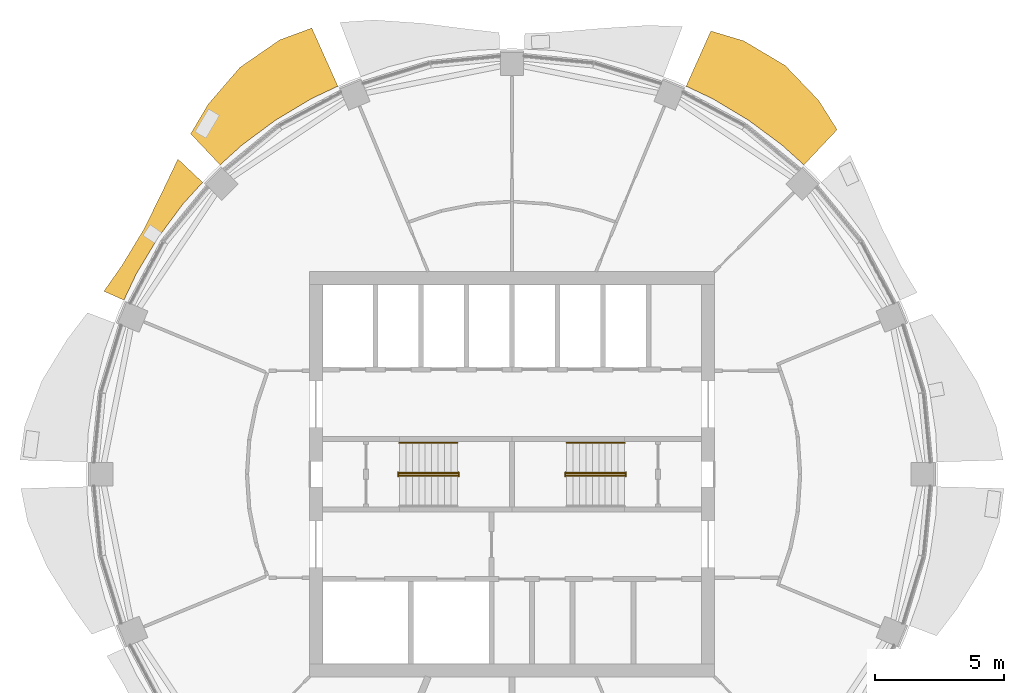
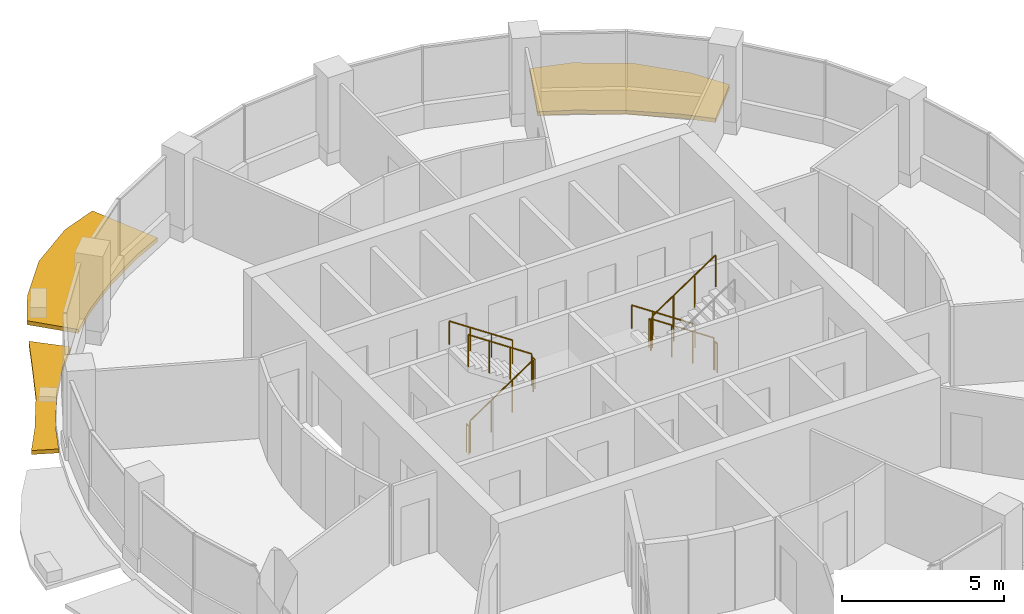
# One storey, part 13 of 15: 10 railings, 3 shading devices.
"""IFC4 building model written with IfcOpenShell, lengths in metres."""

from ifc_helpers import new_model, si_unit, direction, frame, origin, origin_2d, place, context, subcontext, project, spatial, polyline, circle, outline, extrude, material, type_object, element, save


model = new_model("IFC4")

# Units and contexts
model_context = context("Model", 3, precision=1e-05, world=origin(), true_north=direction((0.0, 1.0)))
body_context = subcontext(model_context, "Body", "Model", "MODEL_VIEW")
ifc_project = project(units=[si_unit("LENGTHUNIT", "METRE"), si_unit("AREAUNIT", "SQUARE_METRE"), si_unit("VOLUMEUNIT", "CUBIC_METRE"), si_unit("PLANEANGLEUNIT", "RADIAN"), si_unit("MASSUNIT", "GRAM", prefix="KILO")], contexts=[model_context])

# Site, building, storey
site_placement = place(None, origin())
site = spatial("IfcSite", under=ifc_project, at=site_placement, CompositionType="ELEMENT")
building_placement = place(site_placement, origin())
building = spatial("IfcBuilding", under=site, at=building_placement, Name="Polderwave Tower", CompositionType="ELEMENT")
storey_placement = place(building_placement, frame((0.0, 0.0, 207.75)))
storey = spatial("IfcBuildingStorey", under=building, at=storey_placement, Name="L56", CompositionType="ELEMENT", Elevation=207.75)

# Railings
ifc_material_1 = material(Name="Stainless steel", Category="steel")
railing_type_1 = type_object("IfcRailingType", Name="Stair guard 1100", PredefinedType="GUARDRAIL", material=ifc_material_1)
railing_1_placement = place(storey_placement, frame((-4.3740234375, -0.051025390625, 0.04736328125)))
element("IfcRailing", 1, at=railing_1_placement, inside=storey, type_object=railing_type_1, Name="L56 ST-A stair guard 1", PredefinedType="GUARDRAIL", context=body_context, shape_type="SweptSolid", body=[
    extrude(circle(Radius=0.02392578125, at=origin_2d()), frame((0.0, 0.0, 1.1962890625), z_axis=(0.830758306289, 0.0, 0.556633305266), x_axis=(0.0, 1.0, 0.0)), (0.0, 0.0, 1.0), 2.708251953125),
    extrude(circle(Radius=0.02392578125, at=origin_2d()), origin(), (0.0, 0.0, 1.0), 1.172119140625),
    extrude(circle(Radius=0.02392578125, at=origin_2d()), frame((0.75, 0.0, 0.50244140625)), (0.0, 0.0, 1.0), 1.172119140625),
    extrude(circle(Radius=0.02392578125, at=origin_2d()), frame((1.5, 0.0, 1.005126953125)), (0.0, 0.0, 1.0), 1.172119140625),
    extrude(circle(Radius=0.02392578125, at=origin_2d()), frame((2.25, 0.0, 1.507568359375)), (0.0, 0.0, 1.0), 1.172119140625),
])
railing_2_placement = place(storey_placement, frame((-2.073974609375, -0.074951171875, 1.675048828125)))
element("IfcRailing", 2, at=railing_2_placement, inside=storey, type_object=railing_type_1, Name="L56 ST-A stair guard 2", PredefinedType="GUARDRAIL", context=body_context, shape_type="SweptSolid", body=[
    extrude(circle(Radius=0.02392578125, at=origin_2d()), frame((0.0, 0.0, 1.076171875), z_axis=(0.0, 1.0, 0.0), x_axis=(-1.0, 0.0, 0.0)), (0.0, 0.0, 1.0), 0.14990234375),
    extrude(circle(Radius=0.02099609375, at=origin_2d()), origin(), (0.0, 0.0, 1.0), 1.052001953125),
    extrude(circle(Radius=0.02099609375, at=origin_2d()), frame((0.0, 0.14990234375, 0.0)), (0.0, 0.0, 1.0), 1.052001953125),
])
railing_3_placement = place(storey_placement, frame((-2.1240234375, 0.051025390625, 1.722412109375)))
element("IfcRailing", 3, at=railing_3_placement, inside=storey, type_object=railing_type_1, Name="L56 ST-A stair guard 3", PredefinedType="GUARDRAIL", context=body_context, shape_type="SweptSolid", body=[
    extrude(circle(Radius=0.02392578125, at=origin_2d()), frame((0.0, 0.0, 1.1962890625), z_axis=(-0.830758306289, 0.0, 0.556633305266), x_axis=(0.0, -1.0, 0.0)), (0.0, 0.0, 1.0), 2.708251953125),
    extrude(circle(Radius=0.02392578125, at=origin_2d()), origin(), (0.0, 0.0, 1.0), 1.172119140625),
    extrude(circle(Radius=0.02392578125, at=origin_2d()), frame((-0.75, 0.0, 0.50244140625)), (0.0, 0.0, 1.0), 1.172119140625),
    extrude(circle(Radius=0.02392578125, at=origin_2d()), frame((-1.5, 0.0, 1.005126953125)), (0.0, 0.0, 1.0), 1.172119140625),
    extrude(circle(Radius=0.02392578125, at=origin_2d()), frame((-2.25, 0.0, 1.507568359375)), (0.0, 0.0, 1.0), 1.172119140625),
])
railing_4_placement = place(storey_placement, frame((-4.424072265625, -0.074951171875, 0.0)))
element("IfcRailing", 4, at=railing_4_placement, inside=storey, type_object=railing_type_1, Name="L56 ST-A stair guard 4", PredefinedType="GUARDRAIL", context=body_context, shape_type="SweptSolid", body=[
    extrude(circle(Radius=0.02392578125, at=origin_2d()), frame((0.0, 0.0, 1.076171875), z_axis=(0.0, 1.0, 0.0), x_axis=(-1.0, 0.0, 0.0)), (0.0, 0.0, 1.0), 0.14990234375),
    extrude(circle(Radius=0.02099609375, at=origin_2d()), origin(), (0.0, 0.0, 1.0), 1.052001953125),
    extrude(circle(Radius=0.02099609375, at=origin_2d()), frame((0.0, 0.14990234375, 0.0)), (0.0, 0.0, 1.0), 1.052001953125),
])
railing_5_placement = place(storey_placement, frame((4.3740234375, 0.051025390625, 0.04736328125)))
element("IfcRailing", 5, at=railing_5_placement, inside=storey, type_object=railing_type_1, Name="L56 ST-B stair guard 1", PredefinedType="GUARDRAIL", context=body_context, shape_type="SweptSolid", body=[
    extrude(circle(Radius=0.02392578125, at=origin_2d()), frame((0.0, 0.0, 1.1962890625), z_axis=(-0.830758306289, 0.0, 0.556633305266), x_axis=(0.0, -1.0, 0.0)), (0.0, 0.0, 1.0), 2.708251953125),
    extrude(circle(Radius=0.02392578125, at=origin_2d()), origin(), (0.0, 0.0, 1.0), 1.172119140625),
    extrude(circle(Radius=0.02392578125, at=origin_2d()), frame((-0.75, 0.0, 0.50244140625)), (0.0, 0.0, 1.0), 1.172119140625),
    extrude(circle(Radius=0.02392578125, at=origin_2d()), frame((-1.5, 0.0, 1.005126953125)), (0.0, 0.0, 1.0), 1.172119140625),
    extrude(circle(Radius=0.02392578125, at=origin_2d()), frame((-2.25, 0.0, 1.507568359375)), (0.0, 0.0, 1.0), 1.172119140625),
])
railing_6_placement = place(storey_placement, frame((2.073974609375, 0.074951171875, 1.675048828125)))
element("IfcRailing", 6, at=railing_6_placement, inside=storey, type_object=railing_type_1, Name="L56 ST-B stair guard 2", PredefinedType="GUARDRAIL", context=body_context, shape_type="SweptSolid", body=[
    extrude(circle(Radius=0.02392578125, at=origin_2d()), frame((0.0, 0.0, 1.076171875), z_axis=(0.0, -1.0, 0.0), x_axis=(1.0, 0.0, 0.0)), (0.0, 0.0, 1.0), 0.14990234375),
    extrude(circle(Radius=0.02099609375, at=origin_2d()), origin(), (0.0, 0.0, 1.0), 1.052001953125),
    extrude(circle(Radius=0.02099609375, at=origin_2d()), frame((0.0, -0.14990234375, 0.0)), (0.0, 0.0, 1.0), 1.052001953125),
])
railing_7_placement = place(storey_placement, frame((2.1240234375, -0.051025390625, 1.722412109375)))
element("IfcRailing", 7, at=railing_7_placement, inside=storey, type_object=railing_type_1, Name="L56 ST-B stair guard 3", PredefinedType="GUARDRAIL", context=body_context, shape_type="SweptSolid", body=[
    extrude(circle(Radius=0.02392578125, at=origin_2d()), frame((0.0, 0.0, 1.1962890625), z_axis=(0.830758306289, 0.0, 0.556633305266), x_axis=(0.0, 1.0, 0.0)), (0.0, 0.0, 1.0), 2.708251953125),
    extrude(circle(Radius=0.02392578125, at=origin_2d()), origin(), (0.0, 0.0, 1.0), 1.172119140625),
    extrude(circle(Radius=0.02392578125, at=origin_2d()), frame((0.75, 0.0, 0.50244140625)), (0.0, 0.0, 1.0), 1.172119140625),
    extrude(circle(Radius=0.02392578125, at=origin_2d()), frame((1.5, 0.0, 1.005126953125)), (0.0, 0.0, 1.0), 1.172119140625),
    extrude(circle(Radius=0.02392578125, at=origin_2d()), frame((2.25, 0.0, 1.507568359375)), (0.0, 0.0, 1.0), 1.172119140625),
])
railing_8_placement = place(storey_placement, frame((4.424072265625, 0.074951171875, 0.0)))
element("IfcRailing", 8, at=railing_8_placement, inside=storey, type_object=railing_type_1, Name="L56 ST-B stair guard 4", PredefinedType="GUARDRAIL", context=body_context, shape_type="SweptSolid", body=[
    extrude(circle(Radius=0.02392578125, at=origin_2d()), frame((0.0, 0.0, 1.076171875), z_axis=(0.0, -1.0, 0.0), x_axis=(1.0, 0.0, 0.0)), (0.0, 0.0, 1.0), 0.14990234375),
    extrude(circle(Radius=0.02099609375, at=origin_2d()), origin(), (0.0, 0.0, 1.0), 1.052001953125),
    extrude(circle(Radius=0.02099609375, at=origin_2d()), frame((0.0, -0.14990234375, 0.0)), (0.0, 0.0, 1.0), 1.052001953125),
])
railing_type_2 = type_object("IfcRailingType", Name="Stair handrail 900", PredefinedType="HANDRAIL", material=ifc_material_1)
for number, where, name in (
    (9, (-2.1240234375, 1.22509765625, 1.842529296875), "L56 ST-A stair handrail 2"),
    (10, (4.3740234375, 1.22509765625, 0.16748046875), "L56 ST-B stair handrail 1"),
):
    element("IfcRailing", number, at=place(storey_placement, frame(where)), inside=storey, type_object=railing_type_2, Name=name, PredefinedType="HANDRAIL", context=body_context, shape_type="SweptSolid", body=[
        extrude(circle(Radius=0.02392578125, at=origin_2d()), frame((0.0, 0.0, 0.8759765625), z_axis=(-0.830758306289, 0.0, 0.556633305266), x_axis=(0.0, -1.0, 0.0)), (0.0, 0.0, 1.0), 2.708251953125),
        extrude(circle(Radius=0.02099609375, at=origin_2d()), origin(), (0.0, 0.0, 1.0), 0.851806640625),
        extrude(circle(Radius=0.02099609375, at=origin_2d()), frame((-0.75, 0.0, 0.50244140625)), (0.0, 0.0, 1.0), 0.851806640625),
        extrude(circle(Radius=0.02099609375, at=origin_2d()), frame((-1.5, 0.0, 1.005126953125)), (0.0, 0.0, 1.0), 0.851806640625),
        extrude(circle(Radius=0.02099609375, at=origin_2d()), frame((-2.25, 0.0, 1.507568359375)), (0.0, 0.0, 1.0), 0.851806640625),
    ])

# Shading devices
ifc_material_2 = material(Name="Terracotta", Category="masonry")
shading_device_type = type_object("IfcShadingDeviceType", Name="Terracotta sunshade band", PredefinedType="USERDEFINED", material=ifc_material_2)
shading_device_1_placement = place(storey_placement, frame((0.0, 0.0, -0.35009765625)))
element("IfcShadingDevice", 11, at=shading_device_1_placement, inside=storey, type_object=shading_device_type, Name="Sunshade band L56 3", ObjectType="SUNSHADE", PredefinedType="USERDEFINED", context=body_context, shape_type="SweptSolid", body=[
    extrude(outline(polyline([(11.3466796875, 12.025146484375), (10.499267578125, 12.793212890625), (9.194580078125, 13.7607421875), (7.801513671875, 14.595703125), (6.767578125, 15.084716796875), (7.729736328125, 17.2294921875), (9.005126953125, 16.84765625), (10.6171875, 15.889892578125), (11.9228515625, 14.52783203125), (12.637451171875, 13.393310546875), (11.3466796875, 12.025146484375)])), origin(), (0.0, 0.0, 1.0), 0.150146484375),
])
shading_device_2_placement = place(storey_placement, frame((0.0, 0.0, -0.35009765625)))
element("IfcShadingDevice", 12, at=shading_device_2_placement, inside=storey, type_object=shading_device_type, Name="Sunshade band L56 6", ObjectType="SUNSHADE", PredefinedType="USERDEFINED", context=body_context, shape_type="SweptSolid", body=[
    extrude(outline(polyline([(-6.767578125, 15.084716796875), (-7.801513671875, 14.595703125), (-9.194580078125, 13.7607421875), (-10.499267578125, 12.793212890625), (-11.3466796875, 12.025146484375), (-12.48828125, 13.235107421875), (-11.806396484375, 14.385986328125), (-10.5703125, 15.819580078125), (-9.025390625, 16.885498046875), (-7.78173828125, 17.34521484375), (-6.767578125, 15.084716796875)])), origin(), (0.0, 0.0, 1.0), 0.150146484375),
])
shading_device_3_placement = place(storey_placement, frame((0.0, 0.0, -0.35009765625)))
element("IfcShadingDevice", 13, at=shading_device_3_placement, inside=storey, type_object=shading_device_type, Name="Sunshade band L56 7", ObjectType="SUNSHADE", PredefinedType="USERDEFINED", context=body_context, shape_type="SweptSolid", body=[
    extrude(outline(polyline([(-12.025146484375, 11.3466796875), (-12.793212890625, 10.499267578125), (-13.7607421875, 9.194580078125), (-14.595703125, 7.801513671875), (-15.084716796875, 6.767578125), (-15.85986328125, 7.115478515625), (-15.166259765625, 8.1064453125), (-14.29248046875, 9.550048828125), (-13.5322265625, 11.105712890625), (-12.984619140625, 12.251953125), (-12.025146484375, 11.3466796875)])), origin(), (0.0, 0.0, 1.0), 0.150146484375),
])

save(model, "model.ifc")
